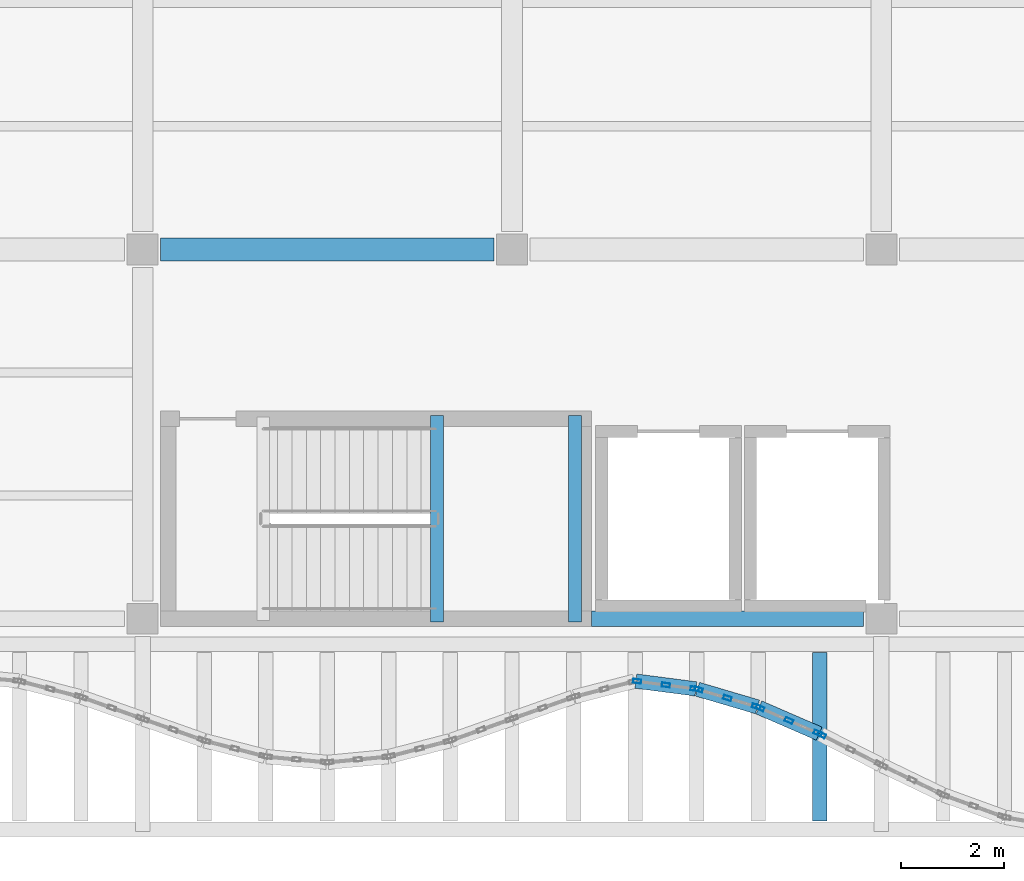
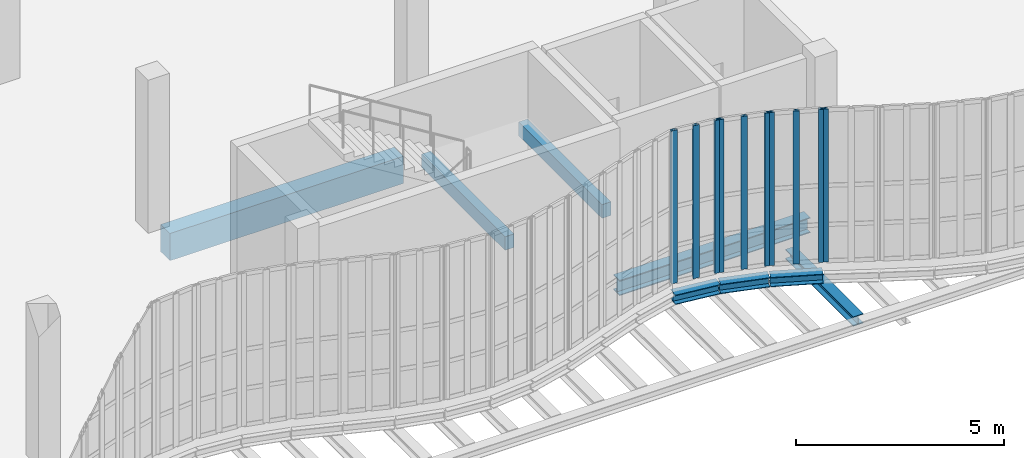
# One storey, part 13 of 105: 10 members, 8 beams, 4 elements without a shape of their own.
"""IFC4 building model written with IfcOpenShell, lengths in metres."""

from ifc_helpers import new_model, si_unit, direction, frame, origin, origin_2d, place, context, subcontext, project, spatial, rectangle, hollow_rectangle, i_section, extrude, material, layer, layer_set, material_profile, profile_set, type_object, element, aggregate, save


model = new_model("IFC4")

# Units and contexts
model_context = context("Model", 3, precision=1e-05, world=origin(), true_north=direction((0.0, 1.0)))
body_context = subcontext(model_context, "Body", "Model", "MODEL_VIEW")
ifc_project = project(units=[si_unit("LENGTHUNIT", "METRE"), si_unit("AREAUNIT", "SQUARE_METRE"), si_unit("VOLUMEUNIT", "CUBIC_METRE"), si_unit("PLANEANGLEUNIT", "RADIAN"), si_unit("MASSUNIT", "GRAM", prefix="KILO"), si_unit("THERMODYNAMICTEMPERATUREUNIT", "KELVIN"), si_unit("POWERUNIT", "WATT")], contexts=[model_context])

# Site, building, storey
site_placement = place(None, origin())
site = spatial("IfcSite", under=ifc_project, at=site_placement, CompositionType="ELEMENT")
building_placement = place(site_placement, origin())
building = spatial("IfcBuilding", under=site, at=building_placement, Name="Kaldorven Railside Theatre", CompositionType="ELEMENT")
storey_placement = place(building_placement, frame((0.0, 0.0, 9.89990234375)))
storey = spatial("IfcBuildingStorey", under=building, at=storey_placement, Name="L02", CompositionType="ELEMENT", Elevation=9.89990234375)

# Beams
ifc_material_1 = material(Name="Steel S355", Category="steel")
ifc_material_profile_1 = material_profile(ifc_material_1, i_section(OverallWidth=0.280029296875, OverallDepth=0.280029296875, WebThickness=0.010498046875, FlangeThickness=0.01806640625, at=origin_2d()), Name="HEB 280")
ifc_profile_set_1 = profile_set([ifc_material_profile_1], Name="Steel S355")
beam_type_1 = type_object("IfcBeamType", Name="BM-HEB280", PredefinedType="SPANDREL", material=ifc_profile_set_1)
beam_1_placement = place(storey_placement, frame((68.014892578125, 17.984130859375, -0.419921875), z_axis=(0.991684423409, -0.12869345115, 0.0), x_axis=(0.12869345115, 0.991684423409, 0.0)))
element("IfcBeam", 1, at=beam_1_placement, inside=storey, type_object=beam_type_1, Name="L02 Sinusoidal Flute Edge Spandrel FSB-099", PredefinedType="SPANDREL", context=body_context, shape_type="SweptSolid", body=[
    extrude(i_section(OverallWidth=0.280029296875, OverallDepth=0.280029296875, WebThickness=0.010498046875, FlangeThickness=0.01806640625, at=origin_2d()), origin(), (0.0, 0.0, 1.0), 1.179931640625),
])
beam_2_placement = place(storey_placement, frame((69.21435546875, 17.826171875, -0.419921875), z_axis=(0.959142332249, -0.28292399419, 0.0), x_axis=(0.28292399419, 0.959142332249, 0.0)))
element("IfcBeam", 2, at=beam_2_placement, inside=storey, type_object=beam_type_1, Name="L02 Sinusoidal Flute Edge Spandrel FSB-100", PredefinedType="SPANDREL", context=body_context, shape_type="SweptSolid", body=[
    extrude(i_section(OverallWidth=0.280029296875, OverallDepth=0.280029296875, WebThickness=0.010498046875, FlangeThickness=0.01806640625, at=origin_2d()), origin(), (0.0, 0.0, 1.0), 1.220947265625),
])
beam_3_placement = place(storey_placement, frame((70.413818359375, 17.470458984375, -0.419921875), z_axis=(0.916988066929, -0.398914633864, 0.0), x_axis=(0.398914633864, 0.916988066929, 0.0)))
element("IfcBeam", 3, at=beam_3_placement, inside=storey, type_object=beam_type_1, Name="L02 Sinusoidal Flute Edge Spandrel FSB-101", PredefinedType="SPANDREL", context=body_context, shape_type="SweptSolid", body=[
    extrude(i_section(OverallWidth=0.280029296875, OverallDepth=0.280029296875, WebThickness=0.010498046875, FlangeThickness=0.01806640625, at=origin_2d()), origin(), (0.0, 0.0, 1.0), 1.278564453125),
])
beam_4_placement = place(storey_placement, frame((71.60009765625, 15.260009765625, -0.699951171875), z_axis=(0.0, 1.0, 0.0), x_axis=(-1.0, 0.0, 0.0)))
element("IfcBeam", 4, at=beam_4_placement, inside=storey, type_object=beam_type_1, Name="L02 Sinusoidal Diaphragm Rib Outrigger FOB-M102", PredefinedType="SPANDREL", context=body_context, shape_type="SweptSolid", body=[
    extrude(i_section(OverallWidth=0.280029296875, OverallDepth=0.280029296875, WebThickness=0.010498046875, FlangeThickness=0.01806640625, at=origin_2d()), origin(), (0.0, 0.0, 1.0), 3.280029296875),
])
ifc_material_profile_2 = material_profile(ifc_material_1, i_section(OverallWidth=0.300048828125, OverallDepth=0.449951171875, WebThickness=0.013916015625, FlangeThickness=0.02587890625, at=origin_2d()), Name="HEB 450")
ifc_profile_set_2 = profile_set([ifc_material_profile_2], Name="Steel S355")
beam_type_2 = type_object("IfcBeamType", Name="BM-HEB450", PredefinedType="BEAM", material=ifc_profile_set_2)
beam_5_placement = place(storey_placement, frame((67.14990234375, 19.199951171875, -0.5048828125), z_axis=(1.0, 0.0, 0.0), x_axis=(0.0, 1.0, 0.0)))
element("IfcBeam", 5, at=beam_5_placement, inside=storey, type_object=beam_type_2, Name="L02 South Spandrel Girder BGX-L02-067-019", PredefinedType="BEAM", context=body_context, shape_type="SweptSolid", body=[
    extrude(i_section(OverallWidth=0.300048828125, OverallDepth=0.449951171875, WebThickness=0.013916015625, FlangeThickness=0.02587890625, at=origin_2d()), origin(), (0.0, 0.0, 1.0), 5.300048828125),
])
ifc_material_2 = material(Name="Concrete C40/50", Category="concrete")
ifc_material_profile_3 = material_profile(ifc_material_2, rectangle(XDim=0.25, YDim=0.39990234375, at=origin_2d()), Name="RC 250x400")
ifc_profile_set_3 = profile_set([ifc_material_profile_3], Name="Concrete C40/50")
beam_type_3 = type_object("IfcBeamType", Name="BM-RC250x400", PredefinedType="LINTEL", material=ifc_profile_set_3)
for number, where, z_axis, x_axis, name in (
    (6, (64.135009765625, 19.139892578125, 1.85009765625), (0.0, 1.0, 0.0), (-1.0, 0.0, 0.0), "Stair ST-03 L02 Half-Landing Bearer"),
    (7, (66.830078125, 19.139892578125, 1.85009765625), (0.0, 1.0, 0.0), (-1.0, 0.0, 0.0), "Stair ST-03 L02 Half-Landing Bearer"),
):
    element("IfcBeam", number, at=place(storey_placement, frame(where, z_axis=z_axis, x_axis=x_axis)), inside=storey, type_object=beam_type_3, Name=name, PredefinedType="LINTEL", context=body_context, shape_type="SweptSolid", body=[
        extrude(rectangle(XDim=0.25, YDim=0.39990234375, at=origin_2d()), origin(), (0.0, 0.0, 1.0), 4.02001953125),
    ])
ifc_material_profile_4 = material_profile(ifc_material_2, rectangle(XDim=0.449951171875, YDim=0.800048828125, at=origin_2d()), Name="RC 450x800")
ifc_profile_set_4 = profile_set([ifc_material_profile_4], Name="Concrete C40/50")
beam_type_4 = type_object("IfcBeamType", Name="BM-RC450x800", PredefinedType="BEAM", material=ifc_profile_set_4)
beam_6_placement = place(storey_placement, frame((58.75, 26.39990234375, -0.679931640625), z_axis=(1.0, 0.0, 0.0), x_axis=(0.0, 1.0, 0.0)))
element("IfcBeam", 8, at=beam_6_placement, inside=storey, type_object=beam_type_4, Name="L02 Girder BGX-L02-058-026", PredefinedType="BEAM", context=body_context, shape_type="SweptSolid", body=[
    extrude(rectangle(XDim=0.449951171875, YDim=0.800048828125, at=origin_2d()), origin(), (0.0, 0.0, 1.0), 6.5),
])

# Curtain wall, members
ifc_material_3 = material(Name="Low-E laminated solar-control glass", Category="glass")
ifc_layer_1 = layer(ifc_material_3, 0.159912109375, Name="Low-E laminated solar-control glass")
ifc_layer_set_1 = layer_set([ifc_layer_1], Name="Low-E laminated solar-control glass")
curtain_wall_type_1 = type_object("IfcCurtainWallType", Name="CWT-03", PredefinedType="USERDEFINED", material=ifc_layer_set_1)
curtain_wall_1_placement = place(storey_placement, origin())
curtain_wall_1 = element("IfcCurtainWall", 9, at=curtain_wall_1_placement, inside=storey, type_object=curtain_wall_type_1, Name="Sinusoidal Fluted Curtain Wall CW-L02-S27", ObjectType="FLUTED GLAZING", PredefinedType="USERDEFINED")
ifc_material_4 = material(Name="Anodised bronze aluminium", Category="aluminium")
ifc_material_profile_5 = material_profile(ifc_material_4, hollow_rectangle(XDim=0.080078125, YDim=0.159912109375, WallThickness=0.00634765625, at=origin_2d()), Name="RHS 160x80x6.3")
ifc_profile_set_5 = profile_set([ifc_material_profile_5], Name="Anodised bronze aluminium")
member_type = type_object("IfcMemberType", Name="CWM-160", PredefinedType="MULLION", material=ifc_profile_set_5)
member_1_placement = place(storey_placement, frame((68.03955078125, 17.98095703125, 0.0), z_axis=(0.0, 0.0, 1.0), x_axis=(0.12875269587, 0.991676733269, 0.0)))
member_1 = element("IfcMember", 10, at=member_1_placement, type_object=member_type, Name="CW-L02-S27 mullion 1", PredefinedType="MULLION", context=body_context, shape_type="SweptSolid", body=[
    extrude(hollow_rectangle(XDim=0.080078125, YDim=0.159912109375, WallThickness=0.00634765625, at=origin_2d()), origin(), (0.0, 0.0, 1.0), 4.5),
])
member_2_placement = place(storey_placement, frame((68.60009765625, 17.908203125, 0.0), z_axis=(0.0, 0.0, 1.0), x_axis=(0.12875269587, 0.991676733269, 0.0)))
member_2 = element("IfcMember", 11, at=member_2_placement, type_object=member_type, Name="CW-L02-S27 mullion 2", PredefinedType="MULLION", context=body_context, shape_type="SweptSolid", body=[
    extrude(hollow_rectangle(XDim=0.080078125, YDim=0.159912109375, WallThickness=0.00634765625, at=origin_2d()), origin(), (0.0, 0.0, 1.0), 4.5),
])
member_3_placement = place(storey_placement, frame((69.160400390625, 17.83544921875, 0.0), z_axis=(0.0, 0.0, 1.0), x_axis=(0.12875269587, 0.991676733269, 0.0)))
member_3 = element("IfcMember", 12, at=member_3_placement, type_object=member_type, Name="CW-L02-S27 mullion 3", PredefinedType="MULLION", context=body_context, shape_type="SweptSolid", body=[
    extrude(hollow_rectangle(XDim=0.080078125, YDim=0.159912109375, WallThickness=0.00634765625, at=origin_2d()), origin(), (0.0, 0.0, 1.0), 4.5),
])
aggregate(curtain_wall_1, [member_1, member_2, member_3])

ifc_layer_2 = layer(ifc_material_3, 0.159912109375, Name="Low-E laminated solar-control glass")
ifc_layer_set_2 = layer_set([ifc_layer_2], Name="Low-E laminated solar-control glass")
curtain_wall_type_2 = type_object("IfcCurtainWallType", Name="CWT-04", PredefinedType="USERDEFINED", material=ifc_layer_set_2)
curtain_wall_2_placement = place(storey_placement, origin())
curtain_wall_2 = element("IfcCurtainWall", 13, at=curtain_wall_2_placement, inside=storey, type_object=curtain_wall_type_2, Name="Sinusoidal Fluted Curtain Wall CW-L02-S28", ObjectType="FLUTED GLAZING", PredefinedType="USERDEFINED")
member_4_placement = place(storey_placement, frame((69.23828125, 17.819091796875, 0.0), z_axis=(0.0, 0.0, 1.0), x_axis=(0.282871615621, 0.959157781116, 0.0)))
member_4 = element("IfcMember", 14, at=member_4_placement, type_object=member_type, Name="CW-L02-S28 mullion 1", PredefinedType="MULLION", context=body_context, shape_type="SweptSolid", body=[
    extrude(hollow_rectangle(XDim=0.080078125, YDim=0.159912109375, WallThickness=0.00634765625, at=origin_2d()), origin(), (0.0, 0.0, 1.0), 4.5),
])
member_5_placement = place(storey_placement, frame((69.800048828125, 17.6533203125, 0.0), z_axis=(0.0, 0.0, 1.0), x_axis=(0.282871615621, 0.959157781116, 0.0)))
member_5 = element("IfcMember", 15, at=member_5_placement, type_object=member_type, Name="CW-L02-S28 mullion 2", PredefinedType="MULLION", context=body_context, shape_type="SweptSolid", body=[
    extrude(hollow_rectangle(XDim=0.080078125, YDim=0.159912109375, WallThickness=0.00634765625, at=origin_2d()), origin(), (0.0, 0.0, 1.0), 4.5),
])
member_6_placement = place(storey_placement, frame((70.361572265625, 17.48779296875, 0.0), z_axis=(0.0, 0.0, 1.0), x_axis=(0.282871615621, 0.959157781116, 0.0)))
member_6 = element("IfcMember", 16, at=member_6_placement, type_object=member_type, Name="CW-L02-S28 mullion 3", PredefinedType="MULLION", context=body_context, shape_type="SweptSolid", body=[
    extrude(hollow_rectangle(XDim=0.080078125, YDim=0.159912109375, WallThickness=0.00634765625, at=origin_2d()), origin(), (0.0, 0.0, 1.0), 4.5),
])
aggregate(curtain_wall_2, [member_4, member_5, member_6])

ifc_layer_3 = layer(ifc_material_3, 0.159912109375, Name="Low-E laminated solar-control glass")
ifc_layer_set_3 = layer_set([ifc_layer_3], Name="Low-E laminated solar-control glass")
curtain_wall_type_3 = type_object("IfcCurtainWallType", Name="CWT-05", PredefinedType="USERDEFINED", material=ifc_layer_set_3)
curtain_wall_3_placement = place(storey_placement, origin())
curtain_wall_3 = element("IfcCurtainWall", 17, at=curtain_wall_3_placement, inside=storey, type_object=curtain_wall_type_3, Name="Sinusoidal Fluted Curtain Wall CW-L02-S29", ObjectType="FLUTED GLAZING", PredefinedType="USERDEFINED")
member_7_placement = place(storey_placement, frame((70.436767578125, 17.46044921875, 0.0), z_axis=(0.0, 0.0, 1.0), x_axis=(0.398893759235, 0.916997147675, 0.0)))
member_7 = element("IfcMember", 18, at=member_7_placement, type_object=member_type, Name="CW-L02-S29 mullion 1", PredefinedType="MULLION", context=body_context, shape_type="SweptSolid", body=[
    extrude(hollow_rectangle(XDim=0.080078125, YDim=0.159912109375, WallThickness=0.00634765625, at=origin_2d()), origin(), (0.0, 0.0, 1.0), 4.5),
])
member_8_placement = place(storey_placement, frame((71.0, 17.21533203125, 0.0), z_axis=(0.0, 0.0, 1.0), x_axis=(0.398893759235, 0.916997147675, 0.0)))
member_8 = element("IfcMember", 19, at=member_8_placement, type_object=member_type, Name="CW-L02-S29 mullion 2", PredefinedType="MULLION", context=body_context, shape_type="SweptSolid", body=[
    extrude(hollow_rectangle(XDim=0.080078125, YDim=0.159912109375, WallThickness=0.00634765625, at=origin_2d()), origin(), (0.0, 0.0, 1.0), 4.5),
])
member_9_placement = place(storey_placement, frame((71.563232421875, 16.970458984375, 0.0), z_axis=(0.0, 0.0, 1.0), x_axis=(0.398893759235, 0.916997147675, 0.0)))
member_9 = element("IfcMember", 20, at=member_9_placement, type_object=member_type, Name="CW-L02-S29 mullion 3", PredefinedType="MULLION", context=body_context, shape_type="SweptSolid", body=[
    extrude(hollow_rectangle(XDim=0.080078125, YDim=0.159912109375, WallThickness=0.00634765625, at=origin_2d()), origin(), (0.0, 0.0, 1.0), 4.5),
])
aggregate(curtain_wall_3, [member_7, member_8, member_9])

# Curtain wall, member
ifc_layer_4 = layer(ifc_material_3, 0.159912109375, Name="Low-E laminated solar-control glass")
ifc_layer_set_4 = layer_set([ifc_layer_4], Name="Low-E laminated solar-control glass")
curtain_wall_type_4 = type_object("IfcCurtainWallType", Name="CWT-06", PredefinedType="USERDEFINED", material=ifc_layer_set_4)
curtain_wall_4_placement = place(storey_placement, origin())
curtain_wall_4 = element("IfcCurtainWall", 21, at=curtain_wall_4_placement, inside=storey, type_object=curtain_wall_type_4, Name="Sinusoidal Fluted Curtain Wall CW-L02-S30", ObjectType="FLUTED GLAZING", PredefinedType="USERDEFINED")
member_10_placement = place(storey_placement, frame((71.6357421875, 16.936279296875, 0.0), z_axis=(0.0, 0.0, 1.0), x_axis=(0.451432188451, 0.89230542934, 0.0)))
member_10 = element("IfcMember", 22, at=member_10_placement, type_object=member_type, Name="CW-L02-S30 mullion 1", PredefinedType="MULLION", context=body_context, shape_type="SweptSolid", body=[
    extrude(hollow_rectangle(XDim=0.080078125, YDim=0.159912109375, WallThickness=0.00634765625, at=origin_2d()), origin(), (0.0, 0.0, 1.0), 4.5),
])
aggregate(curtain_wall_4, [member_10])

save(model, "model.ifc")
